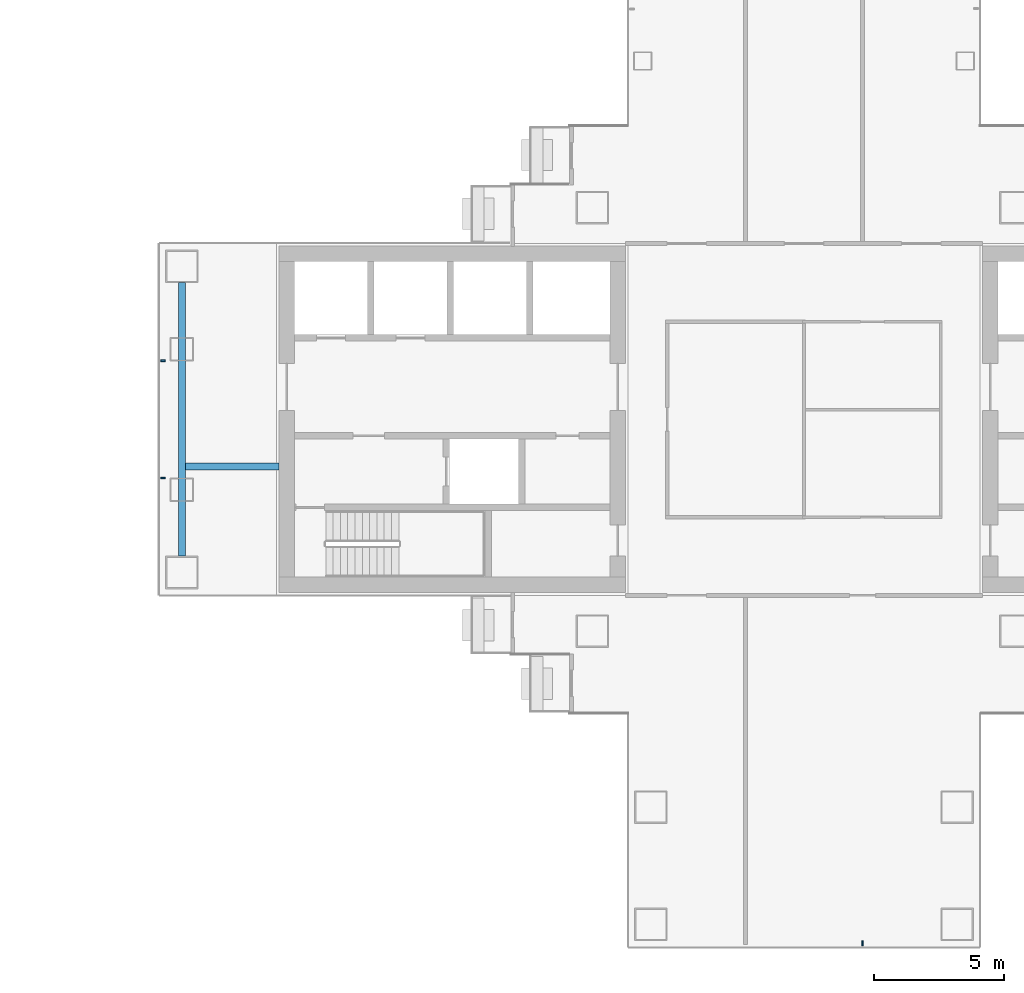
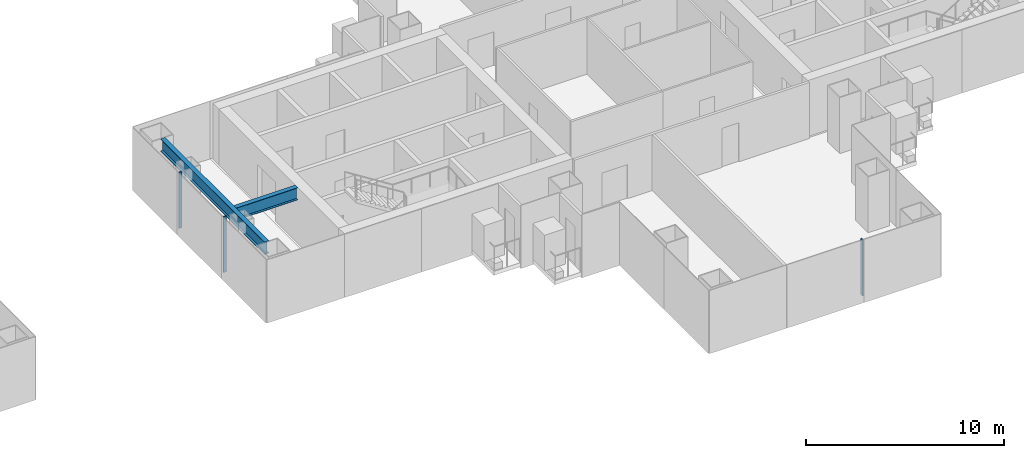
# One storey, part 6 of 20: 3 members, 2 beams, 2 elements without a shape of their own.
"""IFC4 building model written with IfcOpenShell, lengths in metres."""

from ifc_helpers import new_model, si_unit, direction, frame, origin, origin_2d, place, context, subcontext, project, spatial, rectangle, i_section, extrude, material, layer, layer_set, material_profile, profile_set, type_object, element, aggregate, save


model = new_model("IFC4")

# Units and contexts
model_context = context("Model", 3, precision=1e-05, world=origin(), true_north=direction((0.0, 1.0)))
body_context = subcontext(model_context, "Body", "Model", "MODEL_VIEW")
ifc_project = project(units=[si_unit("LENGTHUNIT", "METRE"), si_unit("AREAUNIT", "SQUARE_METRE"), si_unit("VOLUMEUNIT", "CUBIC_METRE"), si_unit("PLANEANGLEUNIT", "RADIAN"), si_unit("MASSUNIT", "GRAM", prefix="KILO")], contexts=[model_context])

# Site, building, storey
site_placement = place(None, origin())
site = spatial("IfcSite", under=ifc_project, at=site_placement, CompositionType="ELEMENT")
building_placement = place(site_placement, origin())
building = spatial("IfcBuilding", under=site, at=building_placement, Name="Shamsa Quay Exchange Towers", CompositionType="ELEMENT")
storey_placement = place(building_placement, frame((0.0, 0.0, 124.800048828125)))
storey = spatial("IfcBuildingStorey", under=building, at=storey_placement, Name="L29", CompositionType="ELEMENT", Elevation=124.800048828125)

# Curtain wall, members
ifc_material_1 = material(Name="Aluminium EN AW-6063 T6, black anodised", Category="aluminium")
ifc_layer = layer(ifc_material_1, 0.280029296875)
ifc_layer_set = layer_set([ifc_layer], Name="CW-1 UNITISED VISION GLASS")
curtain_wall_type = type_object("IfcCurtainWallType", Name="CW-1 UNITISED VISION GLASS", PredefinedType="NOTDEFINED", material=ifc_layer_set)
curtain_wall_1_placement = place(storey_placement, origin())
curtain_wall_1 = element("IfcCurtainWall", 1, at=curtain_wall_1_placement, inside=storey, type_object=curtain_wall_type, Name="CW1 T2-END-V+ L29", PredefinedType="NOTDEFINED")
ifc_material_profile_1 = material_profile(ifc_material_1, rectangle(XDim=0.179931640625, YDim=0.06005859375, at=origin_2d()), Name="MU60x180")
ifc_profile_set_1 = profile_set([ifc_material_profile_1], Name="Aluminium EN AW-6063 T6, black anodised")
member_type = type_object("IfcMemberType", Name="CW1 MULLION 60x180", PredefinedType="MULLION", material=ifc_profile_set_1)
member_1_placement = place(storey_placement, frame((9.14990234375, 2.25, 0.0)))
member_1 = element("IfcMember", 2, at=member_1_placement, type_object=member_type, Name="CW1 mullion", PredefinedType="MULLION", context=body_context, shape_type="SweptSolid", body=[
    extrude(rectangle(XDim=0.179931640625, YDim=0.06005859375, at=origin_2d()), origin(), (0.0, 0.0, 1.0), 3.449951171875),
])
member_2_placement = place(storey_placement, frame((9.14990234375, -2.25, 0.0)))
member_2 = element("IfcMember", 3, at=member_2_placement, type_object=member_type, Name="CW1 mullion", PredefinedType="MULLION", context=body_context, shape_type="SweptSolid", body=[
    extrude(rectangle(XDim=0.179931640625, YDim=0.06005859375, at=origin_2d()), origin(), (0.0, 0.0, 1.0), 3.449951171875),
])
aggregate(curtain_wall_1, [member_1, member_2])

# Curtain wall, member
curtain_wall_2_placement = place(storey_placement, origin())
curtain_wall_2 = element("IfcCurtainWall", 4, at=curtain_wall_2_placement, inside=storey, type_object=curtain_wall_type, Name="CW1 T2-END-U- L29", PredefinedType="NOTDEFINED")
member_3_placement = place(storey_placement, frame((36.0, -20.10009765625, 0.0), z_axis=(0.0, 0.0, 1.0), x_axis=(0.0, 1.0, 0.0)))
member_3 = element("IfcMember", 5, at=member_3_placement, type_object=member_type, Name="CW1 mullion", PredefinedType="MULLION", context=body_context, shape_type="SweptSolid", body=[
    extrude(rectangle(XDim=0.179931640625, YDim=0.06005859375, at=origin_2d()), origin(), (0.0, 0.0, 1.0), 3.449951171875),
])
aggregate(curtain_wall_2, [member_3])

# Beams
ifc_material_2 = material(Name="Steel S355", Category="steel")
ifc_material_profile_2 = material_profile(ifc_material_2, i_section(OverallWidth=0.26611328125, OverallDepth=0.7578125, WebThickness=0.013916015625, FlangeThickness=0.019287109375, at=origin_2d()), Name="W30x108")
ifc_profile_set_2 = profile_set([ifc_material_profile_2], Name="Steel S355")
beam_type = type_object("IfcBeamType", Name="End-zone beam W30x108", PredefinedType="BEAM", material=ifc_profile_set_2)
beam_1_placement = place(storey_placement, frame((9.875, -5.25, 3.071044921875), z_axis=(0.0, 1.0, 0.0), x_axis=(-1.0, 0.0, 0.0)))
element("IfcBeam", 6, at=beam_1_placement, inside=storey, type_object=beam_type, Name="End beam T2 V+ end zone L29", PredefinedType="BEAM", context=body_context, shape_type="SweptSolid", body=[
    extrude(i_section(OverallWidth=0.26611328125, OverallDepth=0.7578125, WebThickness=0.013916015625, FlangeThickness=0.019287109375, at=origin_2d()), origin(), (0.0, 0.0, 1.0), 10.5),
])
beam_2_placement = place(storey_placement, frame((13.60009765625, -1.800048828125, 3.071044921875), z_axis=(-1.0, 0.0, 0.0), x_axis=(0.0, -1.0, 0.0)))
element("IfcBeam", 7, at=beam_2_placement, inside=storey, type_object=beam_type, Name="Spine beam T2 V+ end zone L29", PredefinedType="BEAM", context=body_context, shape_type="SweptSolid", body=[
    extrude(i_section(OverallWidth=0.26611328125, OverallDepth=0.7578125, WebThickness=0.013916015625, FlangeThickness=0.019287109375, at=origin_2d()), origin(), (0.0, 0.0, 1.0), 3.592041015625),
])

save(model, "model.ifc")
